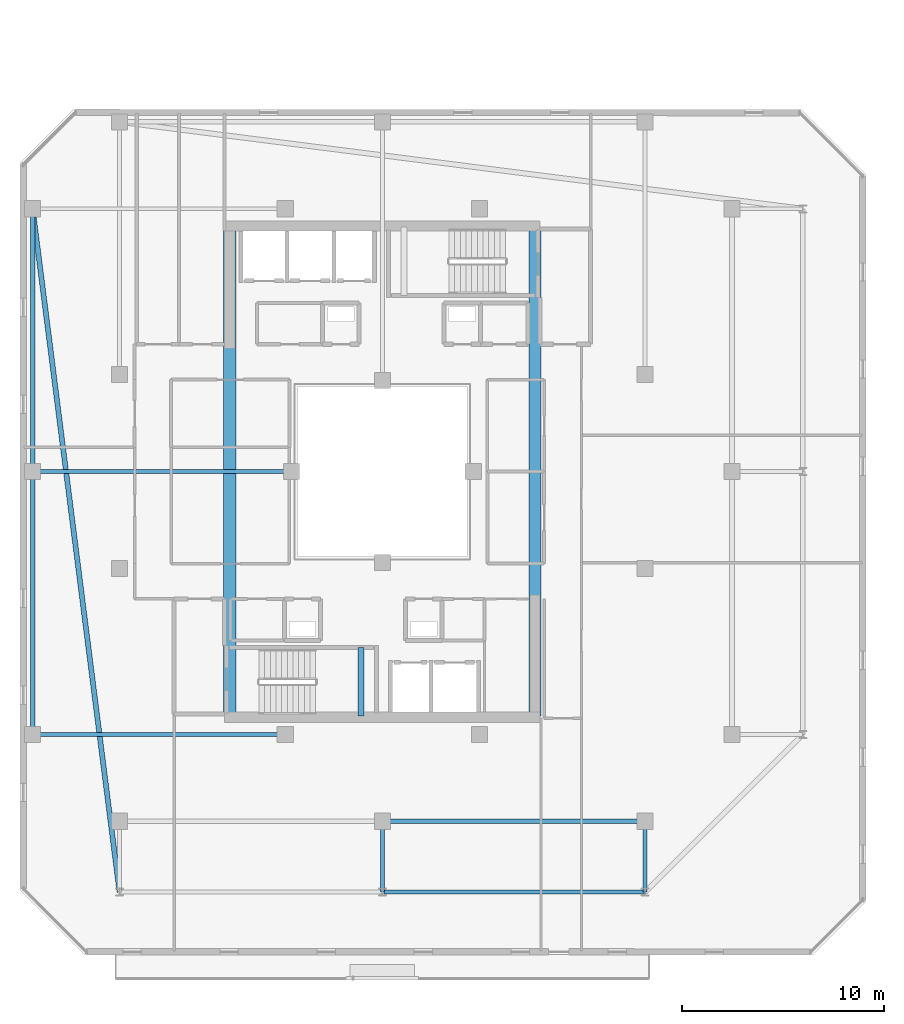
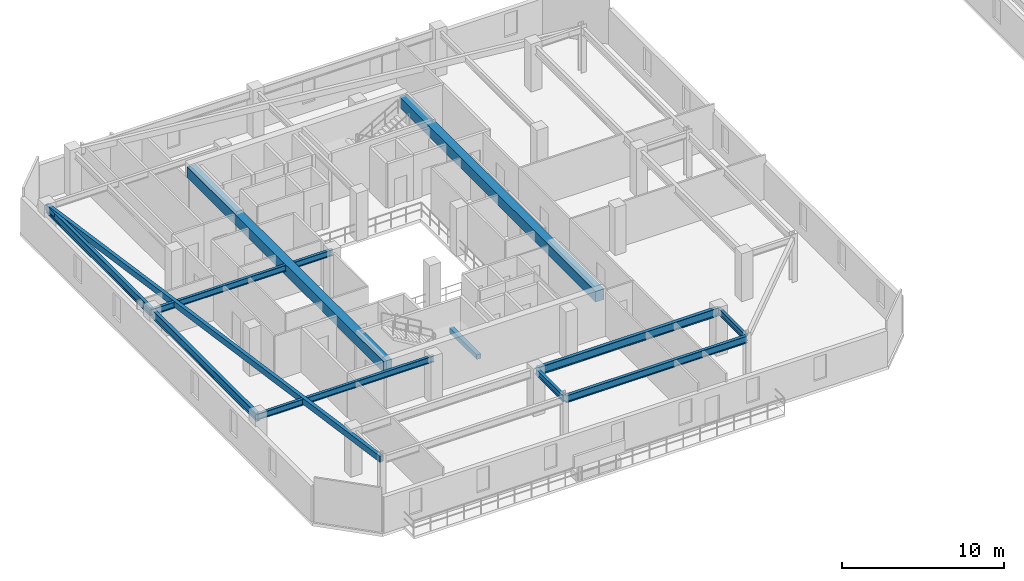
# One storey, part 6 of 35: 12 beams.
"""IFC4 building model written with IfcOpenShell, lengths in metres."""

from ifc_helpers import new_model, si_unit, direction, frame, origin, origin_2d, place, context, subcontext, project, spatial, rectangle, hollow_rectangle, i_section, extrude, material, material_profile, profile_set, type_object, element, save


model = new_model("IFC4")

# Units and contexts
model_context = context("Model", 3, precision=1e-05, world=origin(), true_north=direction((0.0, 1.0)))
body_context = subcontext(model_context, "Body", "Model", "MODEL_VIEW")
ifc_project = project(units=[si_unit("LENGTHUNIT", "METRE"), si_unit("AREAUNIT", "SQUARE_METRE"), si_unit("VOLUMEUNIT", "CUBIC_METRE"), si_unit("PLANEANGLEUNIT", "RADIAN"), si_unit("MASSUNIT", "GRAM", prefix="KILO")], contexts=[model_context])

# Site, building, storey
site_placement = place(None, origin())
site = spatial("IfcSite", under=ifc_project, at=site_placement, CompositionType="ELEMENT")
building_placement = place(site_placement, origin())
building = spatial("IfcBuilding", under=site, at=building_placement, Name="Thornwick Lancets Civic Towers", CompositionType="ELEMENT")
storey_placement = place(building_placement, frame((0.0, 0.0, 269.10009765625)))
storey = spatial("IfcBuildingStorey", under=building, at=storey_placement, Name="L72", CompositionType="ELEMENT", Elevation=269.10009765625)

# Beams
ifc_material_1 = material(Name="Concrete C60/75", Category="concrete")
ifc_material_profile_1 = material_profile(ifc_material_1, rectangle(XDim=0.60009765625, YDim=0.800048828125, at=origin_2d()), Name="RC 600x800")
ifc_profile_set_1 = profile_set([ifc_material_profile_1], Name="Concrete C60/75")
beam_type_1 = type_object("IfcBeamType", Name="BM_COUP_RC800", PredefinedType="BEAM", material=ifc_profile_set_1)
for number, where, z_axis, x_axis, name in (
    (1, (33.050048828125, 14.89990234375, 2.9599609375), (0.0, 1.0, 0.0), (-1.0, 0.0, 0.0), "CB-L72-A1"),
    (2, (17.949951171875, 14.89990234375, 2.9599609375), (0.0, 1.0, 0.0), (-1.0, 0.0, 0.0), "CB-L72-A2"),
):
    element("IfcBeam", number, at=place(storey_placement, frame(where, z_axis=z_axis, x_axis=x_axis)), inside=storey, type_object=beam_type_1, Name=name, PredefinedType="BEAM", context=body_context, shape_type="SweptSolid", body=[
        extrude(rectangle(XDim=0.60009765625, YDim=0.800048828125, at=origin_2d()), origin(), (0.0, 0.0, 1.0), 24.2001953125),
    ])
ifc_material_2 = material(Name="Steel S355JR", Category="steel")
ifc_material_profile_2 = material_profile(ifc_material_2, i_section(OverallWidth=0.210693359375, OverallDepth=0.53955078125, WebThickness=0.01171875, FlangeThickness=0.018798828125, FilletRadius=0.0126953125, at=origin_2d()), Name="UKB 533x210x109")
ifc_profile_set_2 = profile_set([ifc_material_profile_2], Name="Steel S355JR")
beam_type_2 = type_object("IfcBeamType", Name="BM_EDGE_533_109", PredefinedType="SPANDREL", material=ifc_profile_set_2)
beam_1_placement = place(storey_placement, frame((25.580078125, 6.199951171875, 3.090087890625), z_axis=(1.0, 0.0, 0.0), x_axis=(0.0, 1.0, 0.0)))
element("IfcBeam", 3, at=beam_1_placement, inside=storey, type_object=beam_type_2, Name="BM-EDGE-L72-A-S0-2", PredefinedType="SPANDREL", context=body_context, shape_type="SweptSolid", body=[
    extrude(i_section(OverallWidth=0.210693359375, OverallDepth=0.53955078125, WebThickness=0.01171875, FlangeThickness=0.018798828125, FilletRadius=0.0126953125, at=origin_2d()), origin(), (0.0, 0.0, 1.0), 12.919921875),
])
ifc_material_profile_3 = material_profile(ifc_material_2, i_section(OverallWidth=0.230224609375, OverallDepth=0.6171875, WebThickness=0.01318359375, FlangeThickness=0.022216796875, FilletRadius=0.0126953125, at=origin_2d()), Name="UKB 610x229x140")
ifc_profile_set_3 = profile_set([ifc_material_profile_3], Name="Steel S355JR")
beam_type_3 = type_object("IfcBeamType", Name="BM_GIRD_610_140", PredefinedType="BEAM", material=ifc_profile_set_3)
beam_2_placement = place(storey_placement, frame((25.580078125, 9.699951171875, 3.05126953125), z_axis=(1.0, 0.0, 0.0), x_axis=(0.0, 1.0, 0.0)))
element("IfcBeam", 4, at=beam_2_placement, inside=storey, type_object=beam_type_3, Name="BM-SPINE-L72-A-1-2", PredefinedType="BEAM", context=body_context, shape_type="SweptSolid", body=[
    extrude(i_section(OverallWidth=0.230224609375, OverallDepth=0.6171875, WebThickness=0.01318359375, FlangeThickness=0.022216796875, FilletRadius=0.0126953125, at=origin_2d()), origin(), (0.0, 0.0, 1.0), 12.919921875),
])
beam_3_placement = place(storey_placement, frame((8.199951171875, 14.0, 3.05126953125), z_axis=(0.0, 1.0, 0.0), x_axis=(-1.0, 0.0, 0.0)))
element("IfcBeam", 5, at=beam_3_placement, inside=storey, type_object=beam_type_3, Name="BM-SPINE-L72-A-9-10", PredefinedType="BEAM", context=body_context, shape_type="SweptSolid", body=[
    extrude(i_section(OverallWidth=0.230224609375, OverallDepth=0.6171875, WebThickness=0.01318359375, FlangeThickness=0.022216796875, FilletRadius=0.0126953125, at=origin_2d()), origin(), (0.0, 0.0, 1.0), 13.0),
])
beam_4_placement = place(storey_placement, frame((8.199951171875, 27.080078125, 3.05126953125), z_axis=(0.0, 1.0, 0.0), x_axis=(-1.0, 0.0, 0.0)))
element("IfcBeam", 6, at=beam_4_placement, inside=storey, type_object=beam_type_3, Name="BM-SPINE-L72-A-10-11", PredefinedType="BEAM", context=body_context, shape_type="SweptSolid", body=[
    extrude(i_section(OverallWidth=0.230224609375, OverallDepth=0.6171875, WebThickness=0.01318359375, FlangeThickness=0.022216796875, FilletRadius=0.0126953125, at=origin_2d()), origin(), (0.0, 0.0, 1.0), 12.919921875),
])
ifc_material_profile_4 = material_profile(ifc_material_2, i_section(OverallWidth=0.19287109375, OverallDepth=0.46728515625, WebThickness=0.011474609375, FlangeThickness=0.01953125, FilletRadius=0.01025390625, at=origin_2d()), Name="UKB 457x191x98")
ifc_profile_set_4 = profile_set([ifc_material_profile_4], Name="Steel S355JR")
beam_type_4 = type_object("IfcBeamType", Name="BM_JOIST_457_98", PredefinedType="JOIST", material=ifc_profile_set_4)
for number, where, z_axis, x_axis, name in (
    (7, (25.5, 9.699951171875, 3.126220703125), (0.0, -1.0, 0.0), (1.0, 0.0, 0.0), "BM-RAD-L72-A02"),
    (8, (38.5, 9.699951171875, 3.126220703125), (0.0, -1.0, 0.0), (1.0, 0.0, 0.0), "BM-RAD-L72-A03"),
):
    element("IfcBeam", number, at=place(storey_placement, frame(where, z_axis=z_axis, x_axis=x_axis)), inside=storey, type_object=beam_type_4, Name=name, PredefinedType="JOIST", context=body_context, shape_type="SweptSolid", body=[
        extrude(i_section(OverallWidth=0.19287109375, OverallDepth=0.46728515625, WebThickness=0.011474609375, FlangeThickness=0.01953125, FilletRadius=0.01025390625, at=origin_2d()), origin(), (0.0, 0.0, 1.0), 3.5),
    ])
beam_5_placement = place(storey_placement, frame((20.699951171875, 14.0, 3.126220703125), z_axis=(-1.0, 0.0, 0.0), x_axis=(0.0, -1.0, 0.0)))
element("IfcBeam", 9, at=beam_5_placement, inside=storey, type_object=beam_type_4, Name="BM-RADIN-L72-A10", PredefinedType="JOIST", context=body_context, shape_type="SweptSolid", body=[
    extrude(i_section(OverallWidth=0.19287109375, OverallDepth=0.46728515625, WebThickness=0.011474609375, FlangeThickness=0.01953125, FilletRadius=0.01025390625, at=origin_2d()), origin(), (0.0, 0.0, 1.0), 12.5),
])
beam_6_placement = place(storey_placement, frame((21.0, 27.0, 3.126220703125), z_axis=(-1.0, 0.0, 0.0), x_axis=(0.0, -1.0, 0.0)))
element("IfcBeam", 10, at=beam_6_placement, inside=storey, type_object=beam_type_4, Name="BM-RADIN-L72-A11", PredefinedType="JOIST", context=body_context, shape_type="SweptSolid", body=[
    extrude(i_section(OverallWidth=0.19287109375, OverallDepth=0.46728515625, WebThickness=0.011474609375, FlangeThickness=0.01953125, FilletRadius=0.01025390625, at=origin_2d()), origin(), (0.0, 0.0, 1.0), 12.800048828125),
])
ifc_material_profile_5 = material_profile(ifc_material_2, hollow_rectangle(XDim=0.25, YDim=0.449951171875, WallThickness=0.01611328125, at=origin_2d()), Name="RHS 450x250x16")
ifc_profile_set_5 = profile_set([ifc_material_profile_5], Name="Steel S355JR")
beam_type_5 = type_object("IfcBeamType", Name="BM_RING_RHS450", PredefinedType="BEAM", material=ifc_profile_set_5)
beam_7_placement = place(storey_placement, frame((8.199951171875, 40.0, 3.135009765625), z_axis=(0.126202998662, -0.992004437051, 0.0), x_axis=(0.992004437051, 0.126202998662, 0.0)))
element("IfcBeam", 11, at=beam_7_placement, inside=storey, type_object=beam_type_5, Name="BM-CHAMF-L72-A-C3", PredefinedType="BEAM", context=body_context, shape_type="SweptSolid", body=[
    extrude(hollow_rectangle(XDim=0.25, YDim=0.449951171875, WallThickness=0.01611328125, at=origin_2d()), origin(), (0.0, 0.0, 1.0), 34.072509765625),
])
ifc_material_3 = material(Name="Concrete C40/50", Category="concrete")
ifc_material_profile_6 = material_profile(ifc_material_3, rectangle(XDim=0.300048828125, YDim=0.35009765625, at=origin_2d()), Name="RC 300x350")
ifc_profile_set_6 = profile_set([ifc_material_profile_6], Name="Concrete C40/50")
beam_type_6 = type_object("IfcBeamType", Name="BM_STAIR_LDG", PredefinedType="BEAM", material=ifc_profile_set_6)
beam_8_placement = place(storey_placement, frame((24.43505859375, 14.89990234375, 1.3779296875), z_axis=(0.0, 1.0, 0.0), x_axis=(-1.0, 0.0, 0.0)))
element("IfcBeam", 12, at=beam_8_placement, inside=storey, type_object=beam_type_6, Name="L72 ST-A1 Landing Support Beam 1", PredefinedType="BEAM", context=body_context, shape_type="SweptSolid", body=[
    extrude(rectangle(XDim=0.300048828125, YDim=0.35009765625, at=origin_2d()), origin(), (0.0, 0.0, 1.0), 3.400146484375),
])

save(model, "model.ifc")
